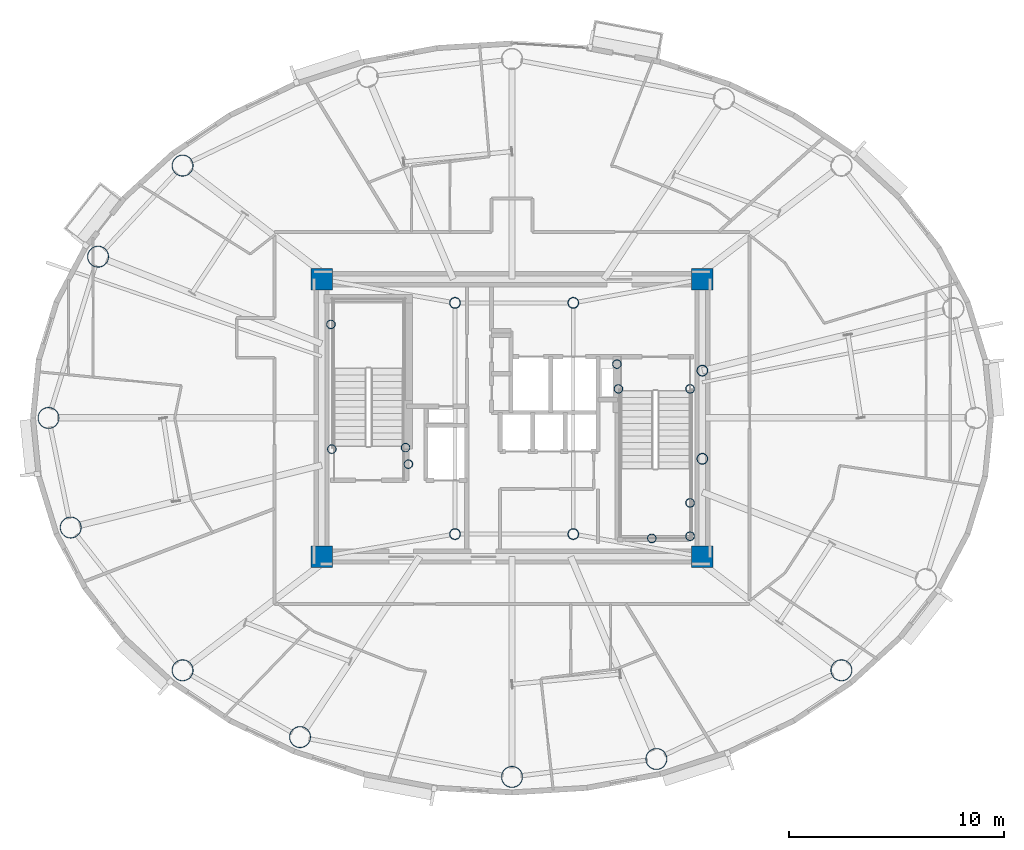
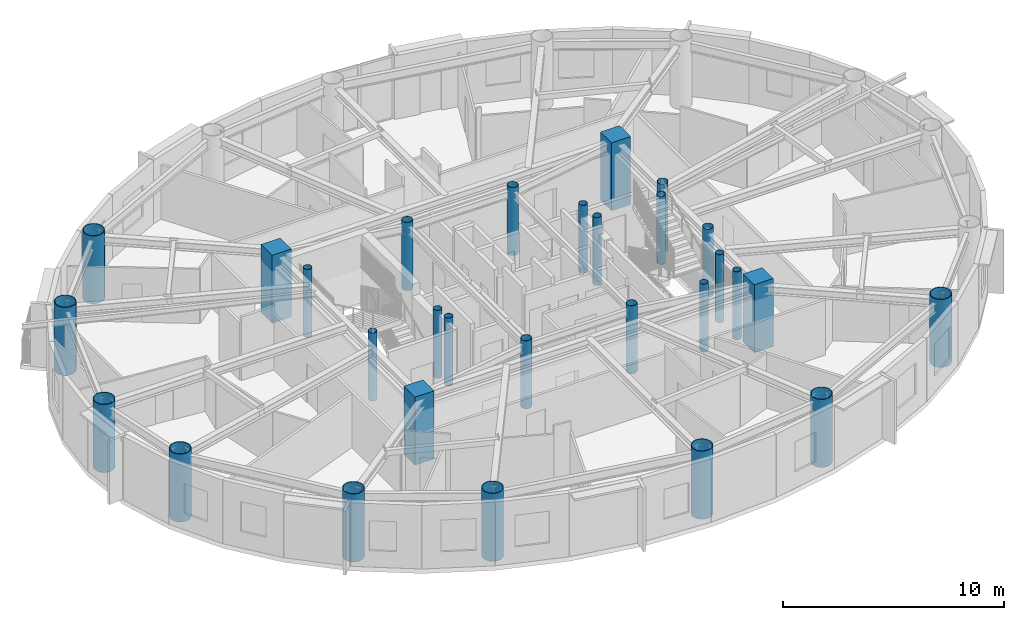
# One storey, part 1 of 18: 29 columns.
"""IFC4 building model written with IfcOpenShell, lengths in metres."""

from ifc_helpers import new_model, si_unit, direction, frame, origin, origin_2d, place, context, subcontext, project, spatial, rectangle, hollow_circle, extrude, material, material_profile, profile_set, type_object, element, save


model = new_model("IFC4")

# Units and contexts
model_context = context("Model", 3, precision=1e-05, world=origin(), true_north=direction((0.0, 1.0)))
body_context = subcontext(model_context, "Body", "Model", "MODEL_VIEW")
ifc_project = project(units=[si_unit("LENGTHUNIT", "METRE"), si_unit("AREAUNIT", "SQUARE_METRE"), si_unit("VOLUMEUNIT", "CUBIC_METRE"), si_unit("PLANEANGLEUNIT", "RADIAN"), si_unit("MASSUNIT", "GRAM", prefix="KILO")], contexts=[model_context])

# Site, building, storey
site_placement = place(None, origin())
site = spatial("IfcSite", under=ifc_project, at=site_placement, CompositionType="ELEMENT")
building_placement = place(site_placement, origin())
building = spatial("IfcBuilding", under=site, at=building_placement, Name="Linh Dai School and Residence Tower", CompositionType="ELEMENT")
storey_placement = place(building_placement, frame((0.0, 0.0, 291.75)))
storey = spatial("IfcBuildingStorey", under=building, at=storey_placement, Name="L72", CompositionType="ELEMENT", Elevation=291.75)

# Columns
ifc_material_1 = material(Name="Concrete B45 (C35/45)", Category="concrete")
ifc_material_profile_1 = material_profile(ifc_material_1, rectangle(XDim=1.0, YDim=1.0, at=origin_2d()), Name="RC 1000x1000")
ifc_profile_set_1 = profile_set([ifc_material_profile_1], Name="Concrete B45 (C35/45)")
column_type_1 = type_object("IfcColumnType", Name="COL-CC3", PredefinedType="COLUMN", material=ifc_profile_set_1)
for number, where, z_axis, x_axis, name in (
    (1, (27.14990234375, 20.550048828125, 0.0), (0.0, 0.0, 1.0), (1.0, 0.0, 0.0), "L72 Core Corner Pier CC1"),
    (2, (44.85009765625, 20.550048828125, 0.0), (0.0, 0.0, 1.0), (1.0, 0.0, 0.0), "L72 Core Corner Pier CC2"),
    (3, (44.85009765625, 33.449951171875, 0.0), (0.0, 0.0, 1.0), (1.0, 0.0, 0.0), "L72 Core Corner Pier CC3"),
    (4, (27.14990234375, 33.449951171875, 0.0), (0.0, 0.0, 1.0), (1.0, 0.0, 0.0), "L72 Core Corner Pier CC4"),
):
    element("IfcColumn", number, at=place(storey_placement, frame(where, z_axis=z_axis, x_axis=x_axis)), inside=storey, type_object=column_type_1, Name=name, PredefinedType="COLUMN", context=body_context, shape_type="SweptSolid", body=[
        extrude(rectangle(XDim=1.0, YDim=1.0, at=origin_2d()), origin(), (0.0, 0.0, 1.0), 3.75),
    ])
ifc_material_2 = material(Name="Structural Steel S355JR", Category="steel")
ifc_material_profile_2 = material_profile(ifc_material_2, hollow_circle(Radius=0.203125, WallThickness=0.01611328125, at=origin_2d()), Name="CHS 406.4x16")
ifc_profile_set_2 = profile_set([ifc_material_profile_2], Name="Structural Steel S355JR")
column_type_2 = type_object("IfcColumnType", Name="COL-EC", PredefinedType="COLUMN", material=ifc_profile_set_2)
for number, where, z_axis, x_axis, name in (
    (5, (27.580078125, 31.35009765625, 0.0), (0.0, 0.0, 1.0), (1.0, 0.0, 0.0), "L72 Stair Shaft Landing Support Pier ST1NW"),
    (6, (31.050048828125, 25.6201171875, 0.0), (0.0, 0.0, 1.0), (1.0, 0.0, 0.0), "L72 Stair Shaft Landing Support Pier ST1SE"),
    (7, (31.179931640625, 24.85009765625, 0.0), (0.0, 0.0, 1.0), (1.0, 0.0, 0.0), "L72 Stair Shaft Landing Support Pier ST1SM"),
    (8, (27.6201171875, 25.550048828125, 0.0), (0.0, 0.0, 1.0), (1.0, 0.0, 0.0), "L72 Stair Shaft Landing Support Pier ST1SW"),
    (9, (44.280029296875, 21.5, 0.0), (0.0, 0.0, 1.0), (1.0, 0.0, 0.0), "L72 Stair Shaft Landing Support Pier ST2SE"),
    (10, (44.280029296875, 23.050048828125, 0.0), (0.0, 0.0, 1.0), (1.0, 0.0, 0.0), "L72 Stair Shaft Landing Support Pier ST2NE"),
    (11, (42.5, 21.39990234375, 0.0), (0.0, 0.0, 1.0), (1.0, 0.0, 0.0), "L72 Stair Shaft Landing Support Pier ST2MS"),
    (12, (40.949951171875, 28.35009765625, 0.0), (0.0, 0.0, 1.0), (1.0, 0.0, 0.0), "L72 Stair Shaft Landing Support Pier ST2N1"),
    (13, (44.280029296875, 28.35009765625, 0.0), (0.0, 0.0, 1.0), (1.0, 0.0, 0.0), "L72 Stair Shaft Landing Support Pier ST2N2"),
    (14, (40.8798828125, 29.5, 0.0), (0.0, 0.0, 1.0), (1.0, 0.0, 0.0), "L72 Stair Shaft Landing Support Pier ST2N3"),
):
    element("IfcColumn", number, at=place(storey_placement, frame(where, z_axis=z_axis, x_axis=x_axis)), inside=storey, type_object=column_type_2, Name=name, PredefinedType="COLUMN", context=body_context, shape_type="SweptSolid", body=[
        extrude(hollow_circle(Radius=0.203125, WallThickness=0.01611328125, at=origin_2d()), origin(), (0.0, 0.0, 1.0), 3.75),
    ])
ifc_material_profile_3 = material_profile(ifc_material_2, hollow_circle(Radius=0.5, WallThickness=0.031982421875, at=origin_2d()), Name="CHS 1000x32")
ifc_profile_set_3 = profile_set([ifc_material_profile_3], Name="Structural Steel S355JR")
column_type_3 = type_object("IfcColumnType", Name="COL-MC6", PredefinedType="COLUMN", material=ifc_profile_set_3)
for number, where, z_axis, x_axis, name in (
    (15, (20.684814453125, 38.7333984375, 0.0), (0.0, 0.0, 1.0), (1.0, 0.0, 0.0), "L72 Perimeter CFT Mega-Column MC07"),
    (16, (16.75390625, 34.49951171875, 0.0), (0.0, 0.0, 1.0), (1.0, 0.0, 0.0), "L72 Perimeter CFT Mega-Column MC08"),
    (17, (14.449951171875, 27.0, 0.0), (0.0, 0.0, 1.0), (1.0, 0.0, 0.0), "L72 Perimeter CFT Mega-Column MC09"),
    (18, (15.4814453125, 21.905517578125, 0.0), (0.0, 0.0, 1.0), (1.0, 0.0, 0.0), "L72 Perimeter CFT Mega-Column MC10"),
    (19, (20.684814453125, 15.2666015625, 0.0), (0.0, 0.0, 1.0), (1.0, 0.0, 0.0), "L72 Perimeter CFT Mega-Column MC11"),
    (20, (26.1455078125, 12.1611328125, 0.0), (0.0, 0.0, 1.0), (1.0, 0.0, 0.0), "L72 Perimeter CFT Mega-Column MC12"),
    (21, (36.0, 10.31005859375, 0.0), (0.0, 0.0, 1.0), (1.0, 0.0, 0.0), "L72 Perimeter CFT Mega-Column MC13"),
    (22, (42.71240234375, 11.142333984375, 0.0), (0.0, 0.0, 1.0), (1.0, 0.0, 0.0), "L72 Perimeter CFT Mega-Column MC14"),
    (23, (51.315185546875, 15.2666015625, 0.0), (0.0, 0.0, 1.0), (1.0, 0.0, 0.0), "L72 Perimeter CFT Mega-Column MC15"),
):
    element("IfcColumn", number, at=place(storey_placement, frame(where, z_axis=z_axis, x_axis=x_axis)), inside=storey, type_object=column_type_3, Name=name, PredefinedType="COLUMN", context=body_context, shape_type="SweptSolid", body=[
        extrude(hollow_circle(Radius=0.5, WallThickness=0.031982421875, at=origin_2d()), origin(), (0.0, 0.0, 1.0), 3.75),
    ])
ifc_material_profile_4 = material_profile(ifc_material_2, hollow_circle(Radius=0.25390625, WallThickness=0.02001953125, at=origin_2d()), Name="CHS 508x20")
ifc_profile_set_4 = profile_set([ifc_material_profile_4], Name="Structural Steel S355JR")
column_type_4 = type_object("IfcColumnType", Name="COL-MCP", PredefinedType="COLUMN", material=ifc_profile_set_4)
for number, where, z_axis, x_axis, name in (
    (24, (33.35009765625, 21.60009765625, 0.0), (0.0, 0.0, 1.0), (1.0, 0.0, 0.0), "L72 Core Mast Support Pier MCP1"),
    (25, (38.85009765625, 21.60009765625, 0.0), (0.0, 0.0, 1.0), (1.0, 0.0, 0.0), "L72 Core Mast Support Pier MCP2"),
    (26, (38.85009765625, 32.35009765625, 0.0), (0.0, 0.0, 1.0), (1.0, 0.0, 0.0), "L72 Core Mast Support Pier MCP3"),
    (27, (33.35009765625, 32.35009765625, 0.0), (0.0, 0.0, 1.0), (1.0, 0.0, 0.0), "L72 Core Mast Support Pier MCP4"),
    (28, (44.85009765625, 25.10009765625, 0.0), (0.0, 0.0, 1.0), (1.0, 0.0, 0.0), "L72 Sky-Lounge Core Anchor Pier S"),
    (29, (44.85009765625, 29.199951171875, 0.0), (0.0, 0.0, 1.0), (1.0, 0.0, 0.0), "L72 Sky-Lounge Core Anchor Pier N"),
):
    element("IfcColumn", number, at=place(storey_placement, frame(where, z_axis=z_axis, x_axis=x_axis)), inside=storey, type_object=column_type_4, Name=name, PredefinedType="COLUMN", context=body_context, shape_type="SweptSolid", body=[
        extrude(hollow_circle(Radius=0.25390625, WallThickness=0.02001953125, at=origin_2d()), origin(), (0.0, 0.0, 1.0), 3.75),
    ])

save(model, "model.ifc")
